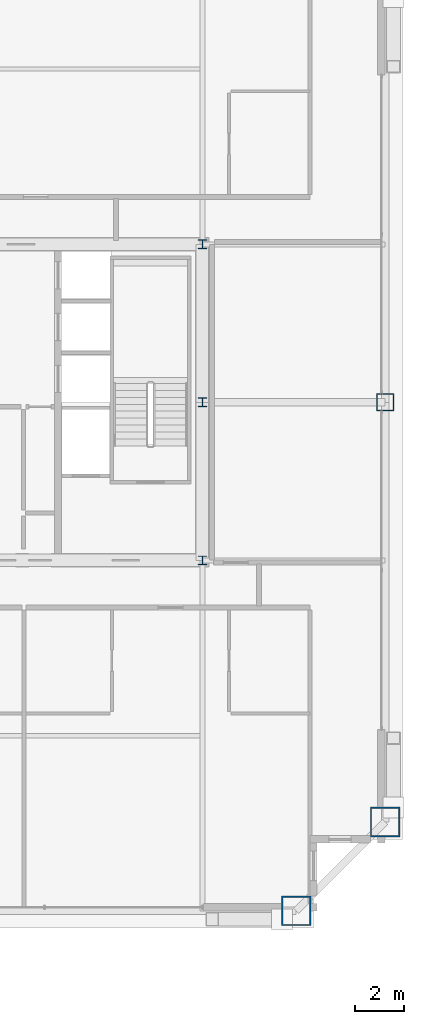
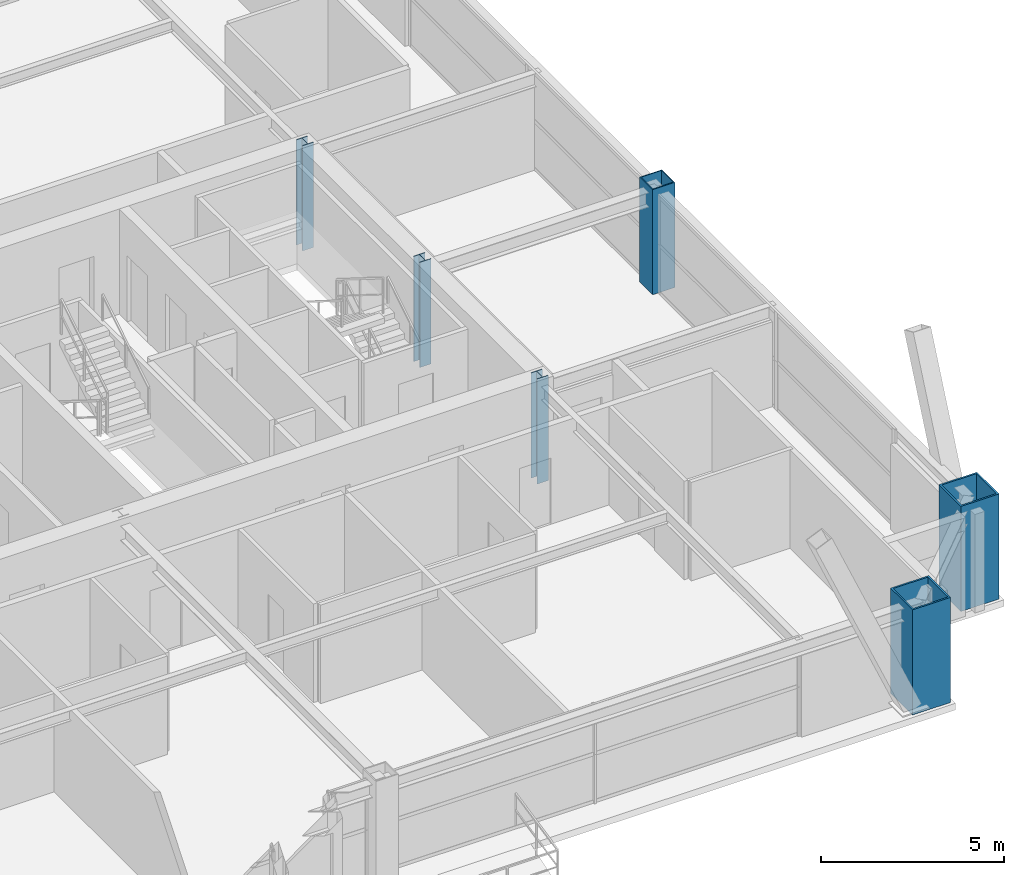
# One storey, part 2 of 35: 6 columns.
"""IFC4 building model written with IfcOpenShell, lengths in metres."""

from ifc_helpers import new_model, si_unit, direction, frame, origin, origin_2d, place, context, subcontext, project, spatial, hollow_rectangle, i_section, extrude, source, transform, mapped, material, material_profile, profile_set, type_object, element, save


model = new_model("IFC4")

# Units and contexts
model_context = context("Model", 3, precision=1e-05, world=origin(), true_north=direction((0.0, 1.0)))
body_context = subcontext(model_context, "Body", "Model", "MODEL_VIEW")
ifc_project = project(units=[si_unit("LENGTHUNIT", "METRE"), si_unit("AREAUNIT", "SQUARE_METRE"), si_unit("VOLUMEUNIT", "CUBIC_METRE"), si_unit("PLANEANGLEUNIT", "RADIAN"), si_unit("MASSUNIT", "GRAM", prefix="KILO"), si_unit("THERMODYNAMICTEMPERATUREUNIT", "KELVIN"), si_unit("POWERUNIT", "WATT")], contexts=[model_context])

# Site, building, storey
site_placement = place(None, origin())
site = spatial("IfcSite", under=ifc_project, at=site_placement, CompositionType="ELEMENT")
building_placement = place(site_placement, origin())
building = spatial("IfcBuilding", under=site, at=building_placement, Name="Yuzanri Waterfront Tower", CompositionType="ELEMENT")
storey_placement = place(building_placement, frame((0.0, 0.0, 271.60009765625)))
storey = spatial("IfcBuildingStorey", under=building, at=storey_placement, Name="L72", CompositionType="ELEMENT", Elevation=271.60009765625)

# Columns
ifc_material_1 = material(Name="Steel Q390GJC", Category="steel")
ifc_material_profile_1 = material_profile(ifc_material_1, hollow_rectangle(XDim=1.199951171875, YDim=1.199951171875, WallThickness=0.054931640625, at=origin_2d()), Name="RHS 1200x1200x55")
ifc_profile_set_1 = profile_set([ifc_material_profile_1], Name="Steel Q390GJC")
column_type_1 = type_object("IfcColumnType", Name="Mega Column Q390GJC RHS 1200x1200x55", PredefinedType="COLUMN", material=ifc_profile_set_1)
shared_shape_1 = source(origin(), body_context, "Body", "SweptSolid", [
    extrude(hollow_rectangle(XDim=1.199951171875, YDim=1.199951171875, WallThickness=0.054931640625, at=origin_2d()), origin(), (0.0, 0.0, 1.0), 3.5),
])
for number, where, z_axis, x_axis, name in (
    (1, (54.0, 5.199951171875, 0.0), (0.0, 0.0, 1.0), (1.0, 0.0, 0.0), "L72 Perimeter Mega Column S3"),
    (2, (57.60009765625, 8.800048828125, 0.0), (0.0, 0.0, 1.0), (1.0, 0.0, 0.0), "L72 Perimeter Mega Column E1"),
):
    element("IfcColumn", number, at=place(storey_placement, frame(where, z_axis=z_axis, x_axis=x_axis)), inside=storey, type_object=column_type_1, Name=name, PredefinedType="COLUMN", context=body_context, shape_type="MappedRepresentation", body=[
        mapped(shared_shape_1, transform((0.0, 0.0, 0.0), scale=1.0)),
    ])
ifc_material_2 = material(Name="Steel Q355B", Category="steel")
ifc_material_profile_2 = material_profile(ifc_material_2, hollow_rectangle(XDim=0.699951171875, YDim=0.699951171875, WallThickness=0.031982421875, at=origin_2d()), Name="RHS 700x700x32")
ifc_profile_set_2 = profile_set([ifc_material_profile_2], Name="Steel Q355B")
column_type_2 = type_object("IfcColumnType", Name="Frame Column Q355B RHS 700x700x32", PredefinedType="COLUMN", material=ifc_profile_set_2)
shared_shape_2 = source(origin(), body_context, "Body", "SweptSolid", [
    extrude(hollow_rectangle(XDim=0.699951171875, YDim=0.699951171875, WallThickness=0.031982421875, at=origin_2d()), origin(), (0.0, 0.0, 1.0), 3.5),
])
column_placement = place(storey_placement, frame((57.60009765625, 25.800048828125, 0.0), z_axis=(0.0, 0.0, 1.0), x_axis=(1.0, 0.0, 0.0)))
element("IfcColumn", 3, at=column_placement, inside=storey, type_object=column_type_2, Name="L72 Perimeter Frame Column E2", PredefinedType="COLUMN", context=body_context, shape_type="MappedRepresentation", body=[
    mapped(shared_shape_2, transform((0.0, 0.0, 0.0), scale=1.0)),
])
ifc_material_3 = material(Name="Steel Q355B", Category="steel")
ifc_material_profile_3 = material_profile(ifc_material_3, i_section(OverallWidth=0.35009765625, OverallDepth=0.35009765625, WebThickness=0.011962890625, FlangeThickness=0.01904296875, at=origin_2d()), Name="HW 350x350x12x19")
ifc_profile_set_3 = profile_set([ifc_material_profile_3], Name="Steel Q355B")
column_type_3 = type_object("IfcColumnType", Name="Core Post Q355B HW 350x350x12x19", PredefinedType="COLUMN", material=ifc_profile_set_3)
shared_shape_3 = source(origin(), body_context, "Body", "SweptSolid", [
    extrude(i_section(OverallWidth=0.35009765625, OverallDepth=0.35009765625, WebThickness=0.011962890625, FlangeThickness=0.01904296875, at=origin_2d()), origin(), (0.0, 0.0, 1.0), 3.5),
])
for number, where, z_axis, x_axis, name in (
    (4, (50.199951171875, 19.39990234375, 0.0), (0.0, 0.0, 1.0), (1.0, 0.0, 0.0), "L72 Core Boundary Column CP3"),
    (5, (50.199951171875, 25.800048828125, 0.0), (0.0, 0.0, 1.0), (1.0, 0.0, 0.0), "L72 Core Boundary Column CP5"),
    (6, (50.199951171875, 32.199951171875, 0.0), (0.0, 0.0, 1.0), (1.0, 0.0, 0.0), "L72 Core Boundary Column CP8"),
):
    element("IfcColumn", number, at=place(storey_placement, frame(where, z_axis=z_axis, x_axis=x_axis)), inside=storey, type_object=column_type_3, Name=name, PredefinedType="COLUMN", context=body_context, shape_type="MappedRepresentation", body=[
        mapped(shared_shape_3, transform((0.0, 0.0, 0.0), scale=1.0)),
    ])

save(model, "model.ifc")
